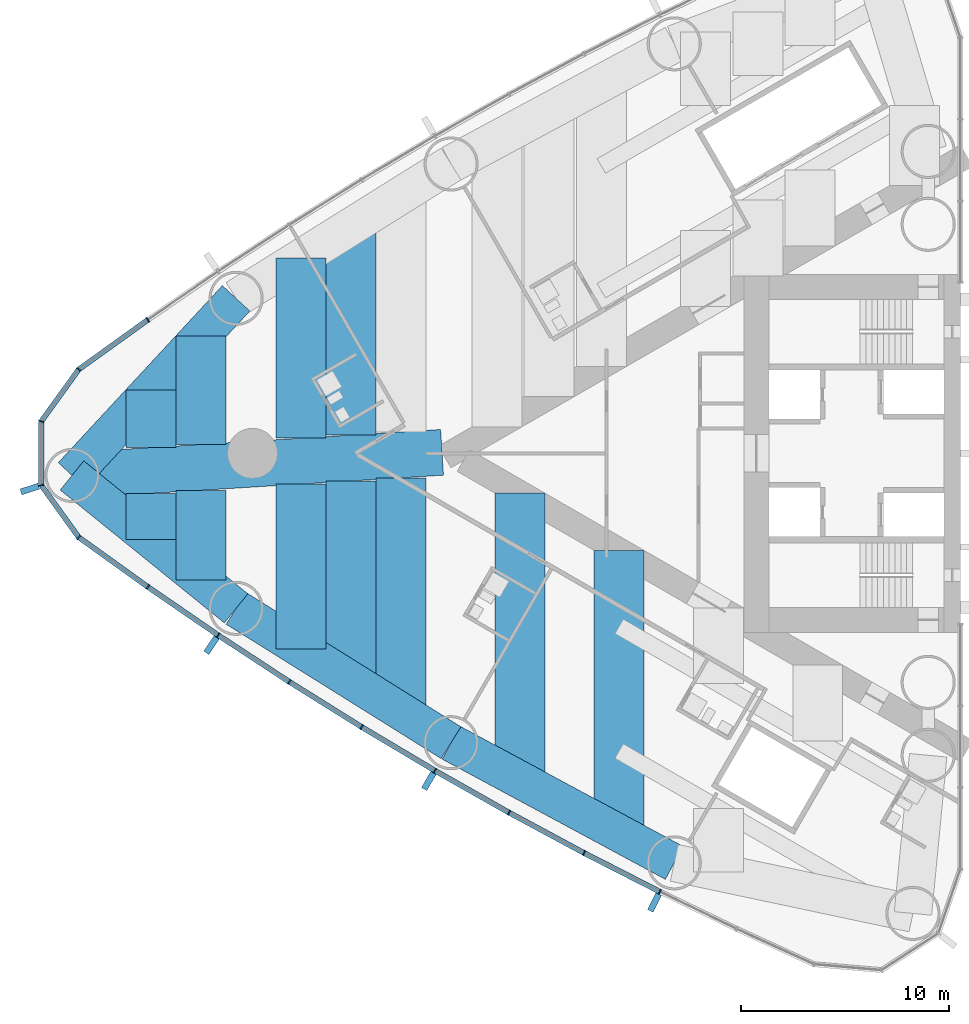
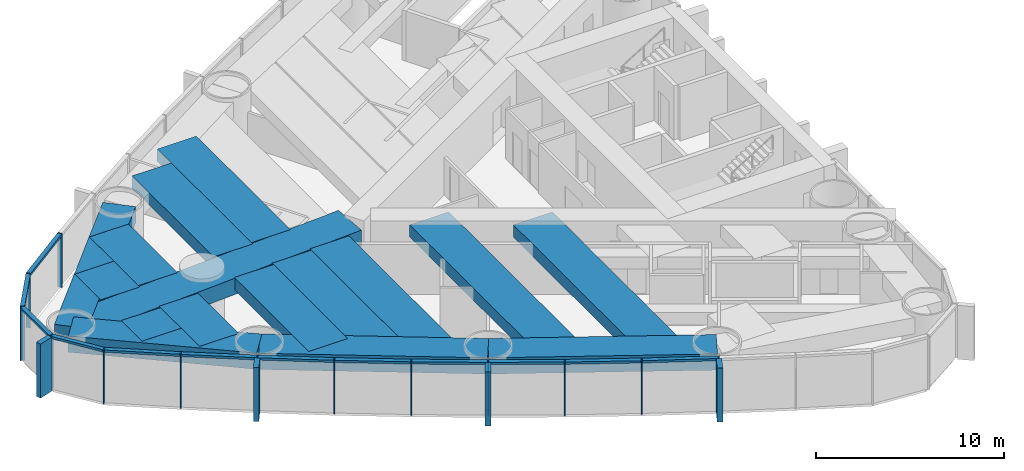
# One storey, part 2 of 19: 29 members, 16 beams, 1 element without a shape of its own.
"""IFC4 building model written with IfcOpenShell, lengths in metres."""

from ifc_helpers import new_model, si_unit, direction, frame, origin, origin_2d, place, context, subcontext, project, spatial, rectangle, extrude, material, material_profile, profile_set, type_object, element, aggregate, save


model = new_model("IFC4")

# Units and contexts
model_context = context("Model", 3, precision=1e-05, world=origin(), true_north=direction((0.0, 1.0)))
body_context = subcontext(model_context, "Body", "Model", "MODEL_VIEW")
ifc_project = project(units=[si_unit("LENGTHUNIT", "METRE"), si_unit("AREAUNIT", "SQUARE_METRE"), si_unit("VOLUMEUNIT", "CUBIC_METRE"), si_unit("PLANEANGLEUNIT", "RADIAN"), si_unit("MASSUNIT", "GRAM", prefix="KILO")], contexts=[model_context])

# Site, building, storey
site_placement = place(None, origin())
site = spatial("IfcSite", under=ifc_project, at=site_placement, CompositionType="ELEMENT")
building_placement = place(site_placement, origin())
building = spatial("IfcBuilding", under=site, at=building_placement, Name="Lancet Gate Hotel", CompositionType="ELEMENT")
storey_placement = place(building_placement, frame((0.0, 0.0, 122.10009765625)))
storey = spatial("IfcBuildingStorey", under=building, at=storey_placement, Name="L32", CompositionType="ELEMENT", Elevation=122.10009765625)

# Curtain wall, members
ifc_material_1 = material(Name="Aluminium curtain wall", Category="aluminium")
curtain_wall_type = type_object("IfcCurtainWallType", Name="Tower unitised curtain wall", PredefinedType="USERDEFINED", material=ifc_material_1)
curtain_wall_placement = place(storey_placement, origin())
curtain_wall = element("IfcCurtainWall", 1, at=curtain_wall_placement, inside=storey, type_object=curtain_wall_type, Name="T1 L32 curtain wall 1", ObjectType="UNITISED CURTAIN WALL", PredefinedType="USERDEFINED")
ifc_material_2 = material(Name="Aluminium mullion", Category="aluminium")
ifc_material_profile_1 = material_profile(ifc_material_2, rectangle(XDim=0.06494140625, YDim=0.25, at=origin_2d()), Name="MULLION 65x250")
ifc_profile_set_1 = profile_set([ifc_material_profile_1], Name="Aluminium mullion")
member_type_1 = type_object("IfcMemberType", Name="Aluminium mullion 65x250", PredefinedType="MULLION", material=ifc_profile_set_1)
member_1_placement = place(storey_placement, frame((-66.5234375, 6.41650390625, 0.0), z_axis=(0.0, 0.0, 1.0), x_axis=(-0.818327221681, -0.574752606132, 0.0)))
member_1 = element("IfcMember", 2, at=member_1_placement, type_object=member_type_1, Name="T1 L32 curtain wall 1 mullion 16", PredefinedType="MULLION", context=body_context, shape_type="SweptSolid", body=[
    extrude(rectangle(XDim=0.06494140625, YDim=0.25, at=origin_2d()), origin(), (0.0, 0.0, 1.0), 3.5),
])
member_2_placement = place(storey_placement, frame((-69.84619140625, 4.02880859375, 0.0), z_axis=(0.0, 0.0, 1.0), x_axis=(-0.723846229576, -0.6899613293, 0.0)))
member_2 = element("IfcMember", 3, at=member_2_placement, type_object=member_type_1, Name="T1 L32 curtain wall 1 mullion 17", PredefinedType="MULLION", context=body_context, shape_type="SweptSolid", body=[
    extrude(rectangle(XDim=0.06494140625, YDim=0.25, at=origin_2d()), origin(), (0.0, 0.0, 1.0), 3.5),
])
member_3_placement = place(storey_placement, frame((-71.64306640625, 1.536376953125, 0.0), z_axis=(0.0, 0.0, 1.0), x_axis=(-0.307269196735, -0.95162263568, 0.0)))
member_3 = element("IfcMember", 4, at=member_3_placement, type_object=member_type_1, Name="T1 L32 curtain wall 1 mullion 18", PredefinedType="MULLION", context=body_context, shape_type="SweptSolid", body=[
    extrude(rectangle(XDim=0.06494140625, YDim=0.25, at=origin_2d()), origin(), (0.0, 0.0, 1.0), 3.5),
])
member_4_placement = place(storey_placement, frame((-71.64306640625, -1.536376953125, 0.0), z_axis=(0.0, 0.0, 1.0), x_axis=(0.307269196735, -0.95162263568, 0.0)))
member_4 = element("IfcMember", 5, at=member_4_placement, type_object=member_type_1, Name="T1 L32 curtain wall 1 mullion 19", PredefinedType="MULLION", context=body_context, shape_type="SweptSolid", body=[
    extrude(rectangle(XDim=0.06494140625, YDim=0.25, at=origin_2d()), origin(), (0.0, 0.0, 1.0), 3.5),
])
member_5_placement = place(storey_placement, frame((-69.84619140625, -4.02880859375, 0.0), z_axis=(0.0, 0.0, 1.0), x_axis=(0.723846229576, -0.6899613293, 0.0)))
member_5 = element("IfcMember", 6, at=member_5_placement, type_object=member_type_1, Name="T1 L32 curtain wall 1 mullion 20", PredefinedType="MULLION", context=body_context, shape_type="SweptSolid", body=[
    extrude(rectangle(XDim=0.06494140625, YDim=0.25, at=origin_2d()), origin(), (0.0, 0.0, 1.0), 3.5),
])
member_6_placement = place(storey_placement, frame((-66.5234375, -6.41650390625, 0.0), z_axis=(0.0, 0.0, 1.0), x_axis=(0.818327221681, -0.574752606132, 0.0)))
member_6 = element("IfcMember", 7, at=member_6_placement, type_object=member_type_1, Name="T1 L32 curtain wall 1 mullion 21", PredefinedType="MULLION", context=body_context, shape_type="SweptSolid", body=[
    extrude(rectangle(XDim=0.06494140625, YDim=0.25, at=origin_2d()), origin(), (0.0, 0.0, 1.0), 3.5),
])
member_7_placement = place(storey_placement, frame((-63.14990234375, -8.73193359375, 0.0), z_axis=(0.0, 0.0, 1.0), x_axis=(0.830510096234, -0.557003572747, 0.0)))
member_7 = element("IfcMember", 8, at=member_7_placement, type_object=member_type_1, Name="T1 L32 curtain wall 1 mullion 22", PredefinedType="MULLION", context=body_context, shape_type="SweptSolid", body=[
    extrude(rectangle(XDim=0.06494140625, YDim=0.25, at=origin_2d()), origin(), (0.0, 0.0, 1.0), 3.5),
])
member_8_placement = place(storey_placement, frame((-59.7275390625, -10.974365234375, 0.0), z_axis=(0.0, 0.0, 1.0), x_axis=(0.84230807036, -0.538996395727, 0.0)))
member_8 = element("IfcMember", 9, at=member_8_placement, type_object=member_type_1, Name="T1 L32 curtain wall 1 mullion 23", PredefinedType="MULLION", context=body_context, shape_type="SweptSolid", body=[
    extrude(rectangle(XDim=0.06494140625, YDim=0.25, at=origin_2d()), origin(), (0.0, 0.0, 1.0), 3.5),
])
member_9_placement = place(storey_placement, frame((-56.257568359375, -13.142333984375, 0.0), z_axis=(0.0, 0.0, 1.0), x_axis=(0.853715676299, -0.52073942048, 0.0)))
member_9 = element("IfcMember", 10, at=member_9_placement, type_object=member_type_1, Name="T1 L32 curtain wall 1 mullion 24", PredefinedType="MULLION", context=body_context, shape_type="SweptSolid", body=[
    extrude(rectangle(XDim=0.06494140625, YDim=0.25, at=origin_2d()), origin(), (0.0, 0.0, 1.0), 3.5),
])
member_10_placement = place(storey_placement, frame((-52.74169921875, -15.2353515625, 0.0), z_axis=(0.0, 0.0, 1.0), x_axis=(0.86472762718, -0.502241108226, 0.0)))
member_10 = element("IfcMember", 11, at=member_10_placement, type_object=member_type_1, Name="T1 L32 curtain wall 1 mullion 25", PredefinedType="MULLION", context=body_context, shape_type="SweptSolid", body=[
    extrude(rectangle(XDim=0.06494140625, YDim=0.25, at=origin_2d()), origin(), (0.0, 0.0, 1.0), 3.5),
])
member_11_placement = place(storey_placement, frame((-49.181640625, -17.252197265625, 0.0), z_axis=(0.0, 0.0, 1.0), x_axis=(0.875338819507, -0.48351003202, 0.0)))
member_11 = element("IfcMember", 12, at=member_11_placement, type_object=member_type_1, Name="T1 L32 curtain wall 1 mullion 26", PredefinedType="MULLION", context=body_context, shape_type="SweptSolid", body=[
    extrude(rectangle(XDim=0.06494140625, YDim=0.25, at=origin_2d()), origin(), (0.0, 0.0, 1.0), 3.5),
])
member_12_placement = place(storey_placement, frame((-45.578857421875, -19.19189453125, 0.0), z_axis=(0.0, 0.0, 1.0), x_axis=(0.885544335517, -0.46455487279, 0.0)))
member_12 = element("IfcMember", 13, at=member_12_placement, type_object=member_type_1, Name="T1 L32 curtain wall 1 mullion 27", PredefinedType="MULLION", context=body_context, shape_type="SweptSolid", body=[
    extrude(rectangle(XDim=0.06494140625, YDim=0.25, at=origin_2d()), origin(), (0.0, 0.0, 1.0), 3.5),
])
member_13_placement = place(storey_placement, frame((-41.935302734375, -21.053466796875, 0.0), z_axis=(0.0, 0.0, 1.0), x_axis=(0.895339445458, -0.445384415317, 0.0)))
member_13 = element("IfcMember", 14, at=member_13_placement, type_object=member_type_1, Name="T1 L32 curtain wall 1 mullion 28", PredefinedType="MULLION", context=body_context, shape_type="SweptSolid", body=[
    extrude(rectangle(XDim=0.06494140625, YDim=0.25, at=origin_2d()), origin(), (0.0, 0.0, 1.0), 3.5),
])
ifc_material_3 = material(Name="Aluminium transom", Category="aluminium")
ifc_material_profile_2 = material_profile(ifc_material_3, rectangle(XDim=0.25, YDim=0.14990234375, at=origin_2d()), Name="TRANSOM 250x150")
ifc_profile_set_2 = profile_set([ifc_material_profile_2], Name="Aluminium transom")
member_type_2 = type_object("IfcMemberType", Name="Aluminium transom 250x150", PredefinedType="USERDEFINED", material=ifc_profile_set_2)
member_14_placement = place(storey_placement, frame((-66.5498046875, 6.3974609375, 3.4248046875), z_axis=(-0.812099770796, -0.583518604908, 0.0), x_axis=(0.583518604908, -0.812099770796, 0.0)))
member_14 = element("IfcMember", 15, at=member_14_placement, type_object=member_type_2, Name="T1 L32 curtain wall 1 transom 16", ObjectType="TRANSOM", PredefinedType="USERDEFINED", context=body_context, shape_type="SweptSolid", body=[
    extrude(rectangle(XDim=0.25, YDim=0.14990234375, at=origin_2d()), origin(), (0.0, 0.0, 1.0), 4.026611328125),
])
member_15_placement = place(storey_placement, frame((-69.865234375, 4.00244140625, 3.4248046875), z_axis=(-0.584787911241, -0.81118622946, 0.0), x_axis=(0.81118622946, -0.584787911241, 0.0)))
member_15 = element("IfcMember", 16, at=member_15_placement, type_object=member_type_2, Name="T1 L32 curtain wall 1 transom 17", ObjectType="TRANSOM", PredefinedType="USERDEFINED", context=body_context, shape_type="SweptSolid", body=[
    extrude(rectangle(XDim=0.25, YDim=0.14990234375, at=origin_2d()), origin(), (0.0, 0.0, 1.0), 3.007568359375),
])
member_16_placement = place(storey_placement, frame((-71.64306640625, 1.50390625, 3.4248046875), z_axis=(0.0, -1.0, 0.0), x_axis=(1.0, 0.0, 0.0)))
member_16 = element("IfcMember", 17, at=member_16_placement, type_object=member_type_2, Name="T1 L32 curtain wall 1 transom 18", ObjectType="TRANSOM", PredefinedType="USERDEFINED", context=body_context, shape_type="SweptSolid", body=[
    extrude(rectangle(XDim=0.25, YDim=0.14990234375, at=origin_2d()), origin(), (0.0, 0.0, 1.0), 3.0078125),
])
member_17_placement = place(storey_placement, frame((-71.6240234375, -1.562744140625, 3.4248046875), z_axis=(0.584787911241, -0.81118622946, 0.0), x_axis=(0.81118622946, 0.584787911241, 0.0)))
member_17 = element("IfcMember", 18, at=member_17_placement, type_object=member_type_2, Name="T1 L32 curtain wall 1 transom 19", ObjectType="TRANSOM", PredefinedType="USERDEFINED", context=body_context, shape_type="SweptSolid", body=[
    extrude(rectangle(XDim=0.25, YDim=0.14990234375, at=origin_2d()), origin(), (0.0, 0.0, 1.0), 3.007568359375),
])
member_18_placement = place(storey_placement, frame((-69.81982421875, -4.0478515625, 3.4248046875), z_axis=(0.812099770796, -0.583518604908, 0.0), x_axis=(0.583518604908, 0.812099770796, 0.0)))
member_18 = element("IfcMember", 19, at=member_18_placement, type_object=member_type_2, Name="T1 L32 curtain wall 1 transom 20", ObjectType="TRANSOM", PredefinedType="USERDEFINED", context=body_context, shape_type="SweptSolid", body=[
    extrude(rectangle(XDim=0.25, YDim=0.14990234375, at=origin_2d()), origin(), (0.0, 0.0, 1.0), 4.026611328125),
])
member_19_placement = place(storey_placement, frame((-66.49658203125, -6.434814453125, 3.4248046875), z_axis=(0.824455665247, -0.565926546508, 0.0), x_axis=(0.565926546508, 0.824455665247, 0.0)))
member_19 = element("IfcMember", 20, at=member_19_placement, type_object=member_type_2, Name="T1 L32 curtain wall 1 transom 21", ObjectType="TRANSOM", PredefinedType="USERDEFINED", context=body_context, shape_type="SweptSolid", body=[
    extrude(rectangle(XDim=0.25, YDim=0.14990234375, at=origin_2d()), origin(), (0.0, 0.0, 1.0), 4.026611328125),
])
member_20_placement = place(storey_placement, frame((-63.122802734375, -8.749755859375, 3.4248046875), z_axis=(0.83645442085, -0.548036496815, 0.0), x_axis=(0.548036496815, 0.83645442085, 0.0)))
member_20 = element("IfcMember", 21, at=member_20_placement, type_object=member_type_2, Name="T1 L32 curtain wall 1 transom 22", ObjectType="TRANSOM", PredefinedType="USERDEFINED", context=body_context, shape_type="SweptSolid", body=[
    extrude(rectangle(XDim=0.25, YDim=0.14990234375, at=origin_2d()), origin(), (0.0, 0.0, 1.0), 4.026611328125),
])
member_21_placement = place(storey_placement, frame((-59.699951171875, -10.991455078125, 3.4248046875), z_axis=(0.848049393821, -0.529917187531, 0.0), x_axis=(0.529917187531, 0.848049393821, 0.0)))
member_21 = element("IfcMember", 22, at=member_21_placement, type_object=member_type_2, Name="T1 L32 curtain wall 1 transom 23", ObjectType="TRANSOM", PredefinedType="USERDEFINED", context=body_context, shape_type="SweptSolid", body=[
    extrude(rectangle(XDim=0.25, YDim=0.14990234375, at=origin_2d()), origin(), (0.0, 0.0, 1.0), 4.026611328125),
])
member_22_placement = place(storey_placement, frame((-56.2294921875, -13.1591796875, 3.4248046875), z_axis=(0.859285270342, -0.511496651186, 0.0), x_axis=(0.511496651186, 0.859285270342, 0.0)))
member_22 = element("IfcMember", 23, at=member_22_placement, type_object=member_type_2, Name="T1 L32 curtain wall 1 transom 24", ObjectType="TRANSOM", PredefinedType="USERDEFINED", context=body_context, shape_type="SweptSolid", body=[
    extrude(rectangle(XDim=0.25, YDim=0.14990234375, at=origin_2d()), origin(), (0.0, 0.0, 1.0), 4.026611328125),
])
member_23_placement = place(storey_placement, frame((-52.71337890625, -15.25146484375, 3.4248046875), z_axis=(0.870091531013, -0.492890178091, 0.0), x_axis=(0.492890178091, 0.870091531013, 0.0)))
member_23 = element("IfcMember", 24, at=member_23_placement, type_object=member_type_2, Name="T1 L32 curtain wall 1 transom 25", ObjectType="TRANSOM", PredefinedType="USERDEFINED", context=body_context, shape_type="SweptSolid", body=[
    extrude(rectangle(XDim=0.25, YDim=0.14990234375, at=origin_2d()), origin(), (0.0, 0.0, 1.0), 4.026611328125),
])
member_24_placement = place(storey_placement, frame((-49.153076171875, -17.267578125, 3.4248046875), z_axis=(0.880498353192, -0.474049206335, 0.0), x_axis=(0.474049206335, 0.880498353192, 0.0)))
member_24 = element("IfcMember", 25, at=member_24_placement, type_object=member_type_2, Name="T1 L32 curtain wall 1 transom 26", ObjectType="TRANSOM", PredefinedType="USERDEFINED", context=body_context, shape_type="SweptSolid", body=[
    extrude(rectangle(XDim=0.25, YDim=0.14990234375, at=origin_2d()), origin(), (0.0, 0.0, 1.0), 4.02685546875),
])
member_25_placement = place(storey_placement, frame((-45.550048828125, -19.20654296875, 3.4248046875), z_axis=(0.89047617483, -0.455029869415, 0.0), x_axis=(0.455029869415, 0.89047617483, 0.0)))
member_25 = element("IfcMember", 26, at=member_25_placement, type_object=member_type_2, Name="T1 L32 curtain wall 1 transom 27", ObjectType="TRANSOM", PredefinedType="USERDEFINED", context=body_context, shape_type="SweptSolid", body=[
    extrude(rectangle(XDim=0.25, YDim=0.14990234375, at=origin_2d()), origin(), (0.0, 0.0, 1.0), 4.026611328125),
])

# Beams
ifc_material_4 = material(Name="Concrete C50/60", Category="concrete")
ifc_material_profile_3 = material_profile(ifc_material_4, rectangle(XDim=1.800048828125, YDim=1.050048828125, at=origin_2d()), Name="RC 1800x1050")
ifc_profile_set_3 = profile_set([ifc_material_profile_3], Name="Concrete C50/60")
beam_type_1 = type_object("IfcBeamType", Name="Edge beam RC 1800x1050", PredefinedType="SPANDREL", material=ifc_profile_set_3)
beam_1_placement = place(storey_placement, frame((-62.28662109375, 7.444580078125, 2.724853515625), z_axis=(-0.679718253794, -0.733473309303, 0.0), x_axis=(0.733473309303, -0.679718253794, 0.0)))
element("IfcBeam", 27, at=beam_1_placement, inside=storey, type_object=beam_type_1, Name="T1 edge beam EB1 L32", PredefinedType="SPANDREL", context=body_context, shape_type="SweptSolid", body=[
    extrude(rectangle(XDim=1.800048828125, YDim=1.050048828125, at=origin_2d()), origin(), (0.0, 0.0, 1.0), 11.594970703125),
])
beam_2_placement = place(storey_placement, frame((-70.16796875, -1.06005859375, 2.724853515625), z_axis=(0.777033503891, -0.629459239213, 0.0), x_axis=(0.629459239213, 0.777033503891, 0.0)))
element("IfcBeam", 28, at=beam_2_placement, inside=storey, type_object=beam_type_1, Name="T1 edge beam EB1 L32", PredefinedType="SPANDREL", context=body_context, shape_type="SweptSolid", body=[
    extrude(rectangle(XDim=1.800048828125, YDim=1.050048828125, at=origin_2d()), origin(), (0.0, 0.0, 1.0), 10.142822265625),
])
for number, where, z_axis, x_axis, name in (
    (29, (-62.28662109375, -7.444580078125, 2.724853515625), (0.848062521637, -0.529896177939, 0.0), (0.529896177939, 0.848062521637, 0.0), "T1 edge beam EB1 L32"),
    (30, (-51.963134765625, -13.89501953125, 2.724853515625), (0.880492350889, -0.474060354835, 0.0), (0.474060354835, 0.880492350889, 0.0), "T1 edge beam EB1 L32"),
):
    element("IfcBeam", number, at=place(storey_placement, frame(where, z_axis=z_axis, x_axis=x_axis)), inside=storey, type_object=beam_type_1, Name=name, PredefinedType="SPANDREL", context=body_context, shape_type="SweptSolid", body=[
        extrude(rectangle(XDim=1.800048828125, YDim=1.050048828125, at=origin_2d()), origin(), (0.0, 0.0, 1.0), 12.173095703125),
    ])

# Member
ifc_material_5 = material(Name="Precast concrete C50/60", Category="concrete")
ifc_material_profile_4 = material_profile(ifc_material_5, rectangle(XDim=0.300048828125, YDim=0.89990234375, at=origin_2d()), Name="FIN 300x900")
ifc_profile_set_4 = profile_set([ifc_material_profile_4], Name="Precast concrete C50/60")
member_type_3 = type_object("IfcMemberType", Name="Exposed concrete fin 300x900", PredefinedType="USERDEFINED", material=ifc_profile_set_4)
member_26_placement = place(storey_placement, frame((-72.190185546875, -1.713134765625, 0.0), z_axis=(0.0, 0.0, 1.0), x_axis=(0.307269196735, -0.95162263568, 0.0)))
member_26 = element("IfcMember", 31, at=member_26_placement, type_object=member_type_3, Name="T1 L32 curtain wall 1 fin 19", ObjectType="FIN", PredefinedType="USERDEFINED", context=body_context, shape_type="SweptSolid", body=[
    extrude(rectangle(XDim=0.300048828125, YDim=0.89990234375, at=origin_2d()), origin(), (0.0, 0.0, 1.0), 3.5),
])

member_27_placement = place(storey_placement, frame((-63.47021484375, -9.20947265625, 0.0), z_axis=(0.0, 0.0, 1.0), x_axis=(0.830510096234, -0.557003572747, 0.0)))
member_27 = element("IfcMember", 32, at=member_27_placement, type_object=member_type_3, Name="T1 L32 curtain wall 1 fin 22", ObjectType="FIN", PredefinedType="USERDEFINED", context=body_context, shape_type="SweptSolid", body=[
    extrude(rectangle(XDim=0.300048828125, YDim=0.89990234375, at=origin_2d()), origin(), (0.0, 0.0, 1.0), 3.5),
])

member_28_placement = place(storey_placement, frame((-53.030517578125, -15.732666015625, 0.0), z_axis=(0.0, 0.0, 1.0), x_axis=(0.86472762718, -0.502241108226, 0.0)))
member_28 = element("IfcMember", 33, at=member_28_placement, type_object=member_type_3, Name="T1 L32 curtain wall 1 fin 25", ObjectType="FIN", PredefinedType="USERDEFINED", context=body_context, shape_type="SweptSolid", body=[
    extrude(rectangle(XDim=0.300048828125, YDim=0.89990234375, at=origin_2d()), origin(), (0.0, 0.0, 1.0), 3.5),
])

member_29_placement = place(storey_placement, frame((-42.19140625, -21.568359375, 0.0), z_axis=(0.0, 0.0, 1.0), x_axis=(0.895339445458, -0.445384415317, 0.0)))
member_29 = element("IfcMember", 34, at=member_29_placement, type_object=member_type_3, Name="T1 L32 curtain wall 1 fin 28", ObjectType="FIN", PredefinedType="USERDEFINED", context=body_context, shape_type="SweptSolid", body=[
    extrude(rectangle(XDim=0.300048828125, YDim=0.89990234375, at=origin_2d()), origin(), (0.0, 0.0, 1.0), 3.5),
])

aggregate(curtain_wall, [member_1, member_2, member_3, member_4, member_26, member_5, member_6, member_7, member_27, member_8, member_9, member_10, member_28, member_11, member_12, member_13, member_29, member_14, member_15, member_16, member_17, member_18, member_19, member_20, member_21, member_22, member_23, member_24, member_25])

# Beams
ifc_material_6 = material(Name="Concrete C50/60", Category="concrete")
ifc_material_profile_5 = material_profile(ifc_material_6, rectangle(XDim=2.39990234375, YDim=0.800048828125, at=origin_2d()), Name="RC 2400x800")
ifc_profile_set_5 = profile_set([ifc_material_profile_5], Name="Concrete C50/60")
beam_type_2 = type_object("IfcBeamType", Name="Floor beam RC 2400x800", PredefinedType="BEAM", material=ifc_profile_set_5)
beam_3_placement = place(storey_placement, frame((-43.891357421875, -4.663330078125, 2.849853515625), z_axis=(0.0, -1.0, 0.0), x_axis=(1.0, 0.0, 0.0)))
element("IfcBeam", 35, at=beam_3_placement, inside=storey, type_object=beam_type_2, Name="T1 floor beam F08N L32", PredefinedType="BEAM", context=body_context, shape_type="SweptSolid", body=[
    extrude(rectangle(XDim=2.39990234375, YDim=0.800048828125, at=origin_2d()), origin(), (0.0, 0.0, 1.0), 13.57763671875),
])
beam_4_placement = place(storey_placement, frame((-48.66015625, -1.909912109375, 2.849853515625), z_axis=(0.0, -1.0, 0.0), x_axis=(1.0, 0.0, 0.0)))
element("IfcBeam", 36, at=beam_4_placement, inside=storey, type_object=beam_type_2, Name="T1 floor beam F11N L32", PredefinedType="BEAM", context=body_context, shape_type="SweptSolid", body=[
    extrude(rectangle(XDim=2.39990234375, YDim=0.800048828125, at=origin_2d()), origin(), (0.0, 0.0, 1.0), 13.763427734375),
])
beam_5_placement = place(storey_placement, frame((-54.3681640625, -1.177001953125, 2.849853515625), z_axis=(0.0, -1.0, 0.0), x_axis=(1.0, 0.0, 0.0)))
element("IfcBeam", 37, at=beam_5_placement, inside=storey, type_object=beam_type_2, Name="T1 floor beam F14N L32", PredefinedType="BEAM", context=body_context, shape_type="SweptSolid", body=[
    extrude(rectangle(XDim=2.39990234375, YDim=0.800048828125, at=origin_2d()), origin(), (0.0, 0.0, 1.0), 11.21533203125),
])
beam_6_placement = place(storey_placement, frame((-56.768310546875, 10.892578125, 2.849853515625), z_axis=(0.0, -1.0, 0.0), x_axis=(1.0, 0.0, 0.0)))
element("IfcBeam", 38, at=beam_6_placement, inside=storey, type_object=beam_type_2, Name="T1 floor beam F15S L32", PredefinedType="BEAM", context=body_context, shape_type="SweptSolid", body=[
    extrude(rectangle(XDim=2.39990234375, YDim=0.800048828125, at=origin_2d()), origin(), (0.0, 0.0, 1.0), 10.014892578125),
])
beam_7_placement = place(storey_placement, frame((-56.768310546875, -1.32666015625, 2.849853515625), z_axis=(0.0, -1.0, 0.0), x_axis=(1.0, 0.0, 0.0)))
element("IfcBeam", 39, at=beam_7_placement, inside=storey, type_object=beam_type_2, Name="T1 floor beam F16N L32", PredefinedType="BEAM", context=body_context, shape_type="SweptSolid", body=[
    extrude(rectangle(XDim=2.39990234375, YDim=0.800048828125, at=origin_2d()), origin(), (0.0, 0.0, 1.0), 9.56591796875),
])
beam_8_placement = place(storey_placement, frame((-59.168212890625, 9.39306640625, 2.849853515625), z_axis=(0.0, -1.0, 0.0), x_axis=(1.0, 0.0, 0.0)))
element("IfcBeam", 40, at=beam_8_placement, inside=storey, type_object=beam_type_2, Name="T1 floor beam F17S L32", PredefinedType="BEAM", context=body_context, shape_type="SweptSolid", body=[
    extrude(rectangle(XDim=2.39990234375, YDim=0.800048828125, at=origin_2d()), origin(), (0.0, 0.0, 1.0), 8.6650390625),
])
beam_9_placement = place(storey_placement, frame((-59.168212890625, -1.476318359375, 2.849853515625), z_axis=(0.0, -1.0, 0.0), x_axis=(1.0, 0.0, 0.0)))
element("IfcBeam", 41, at=beam_9_placement, inside=storey, type_object=beam_type_2, Name="T1 floor beam F18N L32", PredefinedType="BEAM", context=body_context, shape_type="SweptSolid", body=[
    extrude(rectangle(XDim=2.39990234375, YDim=0.800048828125, at=origin_2d()), origin(), (0.0, 0.0, 1.0), 7.916748046875),
])
beam_10_placement = place(storey_placement, frame((-63.96826171875, 5.6298828125, 2.849853515625), z_axis=(0.0, -1.0, 0.0), x_axis=(1.0, 0.0, 0.0)))
element("IfcBeam", 42, at=beam_10_placement, inside=storey, type_object=beam_type_2, Name="T1 floor beam F19S L32", PredefinedType="BEAM", context=body_context, shape_type="SweptSolid", body=[
    extrude(rectangle(XDim=2.39990234375, YDim=0.800048828125, at=origin_2d()), origin(), (0.0, 0.0, 1.0), 5.201171875),
])
beam_11_placement = place(storey_placement, frame((-63.96826171875, -1.775634765625, 2.849853515625), z_axis=(0.0, -1.0, 0.0), x_axis=(1.0, 0.0, 0.0)))
element("IfcBeam", 43, at=beam_11_placement, inside=storey, type_object=beam_type_2, Name="T1 floor beam F20N L32", PredefinedType="BEAM", context=body_context, shape_type="SweptSolid", body=[
    extrude(rectangle(XDim=2.39990234375, YDim=0.800048828125, at=origin_2d()), origin(), (0.0, 0.0, 1.0), 4.306640625),
])
beam_12_placement = place(storey_placement, frame((-66.3681640625, 3.040283203125, 2.849853515625), z_axis=(0.0, -1.0, 0.0), x_axis=(1.0, 0.0, 0.0)))
element("IfcBeam", 44, at=beam_12_placement, inside=storey, type_object=beam_type_2, Name="T1 floor beam F21S L32", PredefinedType="BEAM", context=body_context, shape_type="SweptSolid", body=[
    extrude(rectangle(XDim=2.39990234375, YDim=0.800048828125, at=origin_2d()), origin(), (0.0, 0.0, 1.0), 2.76123046875),
])
beam_13_placement = place(storey_placement, frame((-66.3681640625, -1.92529296875, 2.849853515625), z_axis=(0.0, -1.0, 0.0), x_axis=(1.0, 0.0, 0.0)))
element("IfcBeam", 45, at=beam_13_placement, inside=storey, type_object=beam_type_2, Name="T1 floor beam F22N L32", PredefinedType="BEAM", context=body_context, shape_type="SweptSolid", body=[
    extrude(rectangle(XDim=2.39990234375, YDim=0.800048828125, at=origin_2d()), origin(), (0.0, 0.0, 1.0), 2.212890625),
])
ifc_material_7 = material(Name="Concrete C50/60", Category="concrete")
ifc_material_profile_6 = material_profile(ifc_material_7, rectangle(XDim=2.199951171875, YDim=1.050048828125, at=origin_2d()), Name="RC 2200x1050")
ifc_profile_set_6 = profile_set([ifc_material_profile_6], Name="Concrete C50/60")
beam_type_3 = type_object("IfcBeamType", Name="Radial floor beam RC 2200x1050", PredefinedType="BEAM", material=ifc_profile_set_6)
beam_14_placement = place(storey_placement, frame((-70.16796875, -1.06005859375, 2.724853515625), z_axis=(0.998061637313, 0.062233175423, 0.0), x_axis=(-0.062233175423, 0.998061637313, 0.0)))
element("IfcBeam", 46, at=beam_14_placement, inside=storey, type_object=beam_type_3, Name="T1 radial beam CA L32", PredefinedType="BEAM", context=body_context, shape_type="SweptSolid", body=[
    extrude(rectangle(XDim=2.199951171875, YDim=1.050048828125, at=origin_2d()), origin(), (0.0, 0.0, 1.0), 17.806396484375),
])

save(model, "model.ifc")
